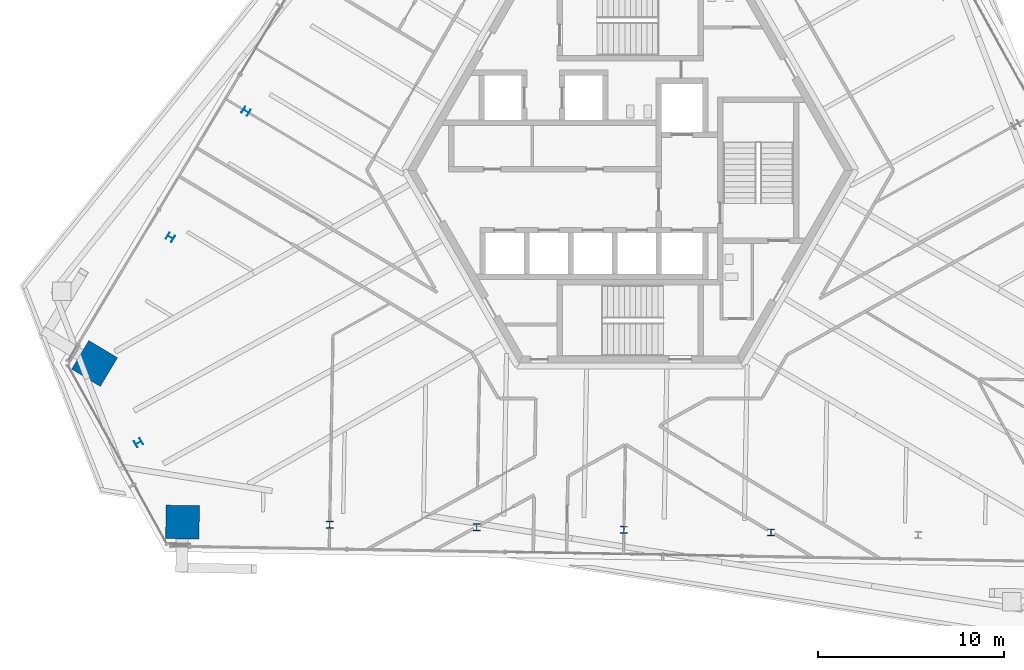
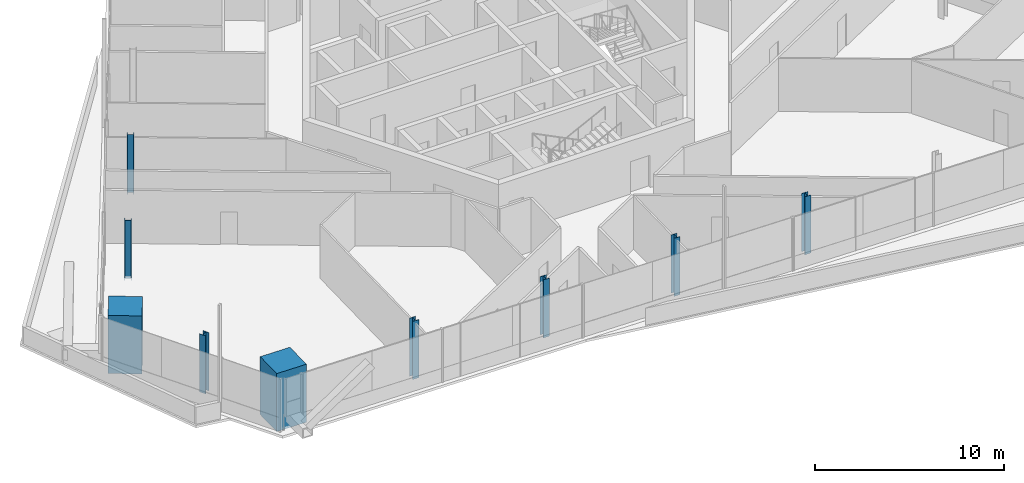
# One storey, part 1 of 22: 9 columns.
"""IFC4 building model written with IfcOpenShell, lengths in metres."""

from ifc_helpers import new_model, si_unit, direction, frame, origin, origin_2d, place, context, subcontext, project, spatial, rectangle, i_section, extrude, source, transform, mapped, material, material_profile, profile_set, type_object, element, save


model = new_model("IFC4")

# Units and contexts
model_context = context("Model", 3, precision=1e-05, world=origin(), true_north=direction((0.0, 1.0)))
body_context = subcontext(model_context, "Body", "Model", "MODEL_VIEW")
ifc_project = project(units=[si_unit("LENGTHUNIT", "METRE"), si_unit("AREAUNIT", "SQUARE_METRE"), si_unit("VOLUMEUNIT", "CUBIC_METRE"), si_unit("PLANEANGLEUNIT", "RADIAN"), si_unit("MASSUNIT", "GRAM", prefix="KILO")], contexts=[model_context])

# Site, building, storey
site_placement = place(None, origin())
site = spatial("IfcSite", under=ifc_project, at=site_placement, CompositionType="ELEMENT")
building_placement = place(site_placement, origin())
building = spatial("IfcBuilding", under=site, at=building_placement, Name="Triune Harvest Tower", CompositionType="ELEMENT")
storey_placement = place(building_placement, frame((0.0, 0.0, 179.89990234375)))
storey = spatial("IfcBuildingStorey", under=building, at=storey_placement, Name="L46", CompositionType="ELEMENT", Elevation=179.89990234375)

# Columns
ifc_material_1 = material(Name="Concrete 70 MPa", Category="concrete")
ifc_material_profile_1 = material_profile(ifc_material_1, rectangle(XDim=1.800048828125, YDim=1.800048828125, at=origin_2d()), Name="Composite 1800x1800")
ifc_profile_set_1 = profile_set([ifc_material_profile_1], Name="Concrete 70 MPa")
column_type_1 = type_object("IfcColumnType", Name="MC-5 Mega column Composite 1800x1800", PredefinedType="COLUMN", material=ifc_profile_set_1)
shared_shape_1 = source(origin(), body_context, "Body", "SweptSolid", [
    extrude(rectangle(XDim=1.800048828125, YDim=1.800048828125, at=origin_2d()), origin(), (0.0, 0.0, 1.0), 3.760009765625),
])
for number, where, z_axis, x_axis, name in (
    (1, (-28.85595703125, -10.406005859375, -0.159912109375), (0.0, 0.0, 1.0), (-0.51503657887, -0.857168199612, 0.0), "col/L46/M14"),
    (2, (-24.1162109375, -18.956787109375, -0.159912109375), (0.0, 0.0, 1.0), (0.999847695156, -0.017452406437, 0.0), "col/L46/M16"),
):
    element("IfcColumn", number, at=place(storey_placement, frame(where, z_axis=z_axis, x_axis=x_axis)), inside=storey, type_object=column_type_1, Name=name, PredefinedType="COLUMN", context=body_context, shape_type="MappedRepresentation", body=[
        mapped(shared_shape_1, transform((0.0, 0.0, 0.0), scale=1.0)),
    ])
ifc_material_2 = material(Name="Steel ASTM A992 Gr 50", Category="steel")
ifc_material_profile_2 = material_profile(ifc_material_2, i_section(OverallWidth=0.370849609375, OverallDepth=0.36328125, WebThickness=0.013427734375, FlangeThickness=0.021728515625, at=origin_2d()), Name="W14x109")
ifc_profile_set_2 = profile_set([ifc_material_profile_2], Name="Steel ASTM A992 Gr 50")
column_type_2 = type_object("IfcColumnType", Name="PC-5 Perimeter column W14x109", PredefinedType="COLUMN", material=ifc_profile_set_2)
shared_shape_2 = source(origin(), body_context, "Body", "SweptSolid", [
    extrude(i_section(OverallWidth=0.370849609375, OverallDepth=0.36328125, WebThickness=0.013427734375, FlangeThickness=0.021728515625, at=origin_2d()), origin(), (0.0, 0.0, 1.0), 3.760009765625),
])
for number, where, z_axis, x_axis, name in (
    (3, (-20.6904296875, 3.183837890625, -0.159912109375), (0.0, 0.0, 1.0), (-0.51503657887, -0.857168199612, 0.0), "col/L46/P12"),
    (4, (-24.773193359375, -3.611083984375, -0.159912109375), (0.0, 0.0, 1.0), (-0.51503657887, -0.857168199612, 0.0), "col/L46/P13"),
    (5, (-26.486083984375, -14.681396484375, -0.159912109375), (0.0, 0.0, 1.0), (0.484808093746, -0.87462055329, 0.0), "col/L46/P15"),
    (6, (-16.190185546875, -19.09521484375, -0.159912109375), (0.0, 0.0, 1.0), (0.999847695156, -0.017452406437, 0.0), "col/L46/P17"),
    (7, (-8.26416015625, -19.233642578125, -0.159912109375), (0.0, 0.0, 1.0), (0.999847695156, -0.017452406437, 0.0), "col/L46/P18"),
    (8, (-0.338134765625, -19.3720703125, -0.159912109375), (0.0, 0.0, 1.0), (0.999847695156, -0.017452406437, 0.0), "col/L46/P19"),
    (9, (7.587890625, -19.510498046875, -0.159912109375), (0.0, 0.0, 1.0), (0.999847695156, -0.017452406437, 0.0), "col/L46/P20"),
):
    element("IfcColumn", number, at=place(storey_placement, frame(where, z_axis=z_axis, x_axis=x_axis)), inside=storey, type_object=column_type_2, Name=name, PredefinedType="COLUMN", context=body_context, shape_type="MappedRepresentation", body=[
        mapped(shared_shape_2, transform((0.0, 0.0, 0.0), scale=1.0)),
    ])

save(model, "model.ifc")
